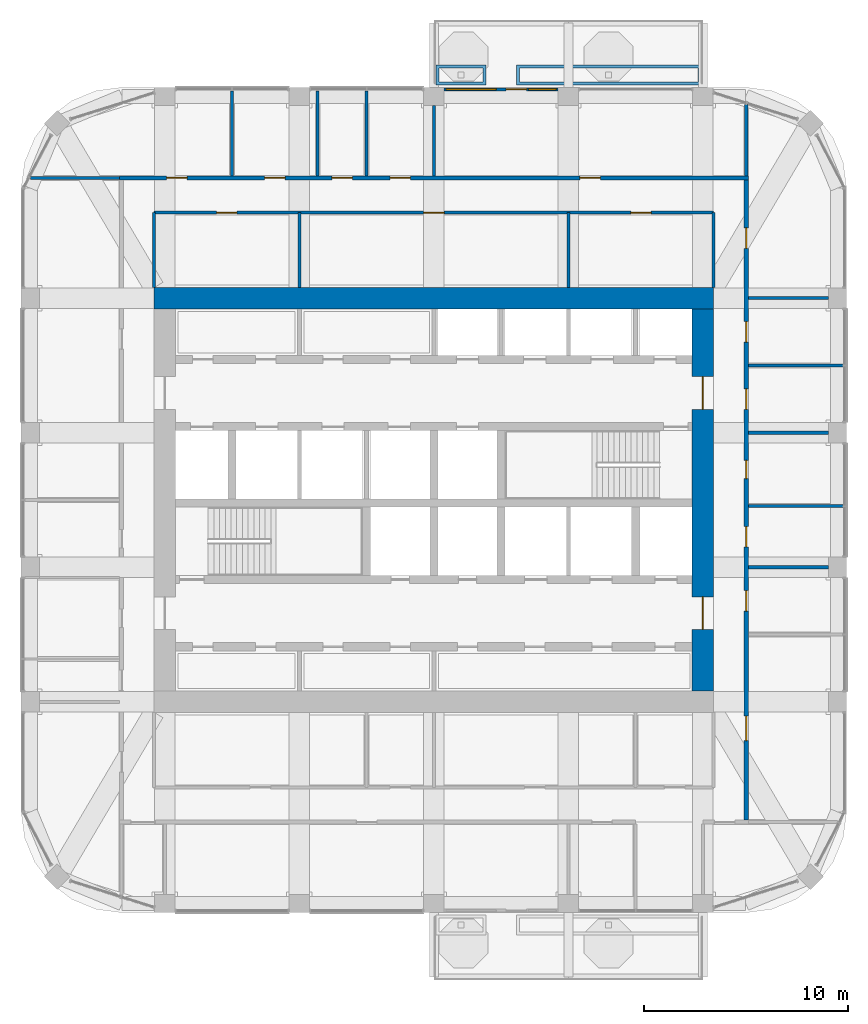
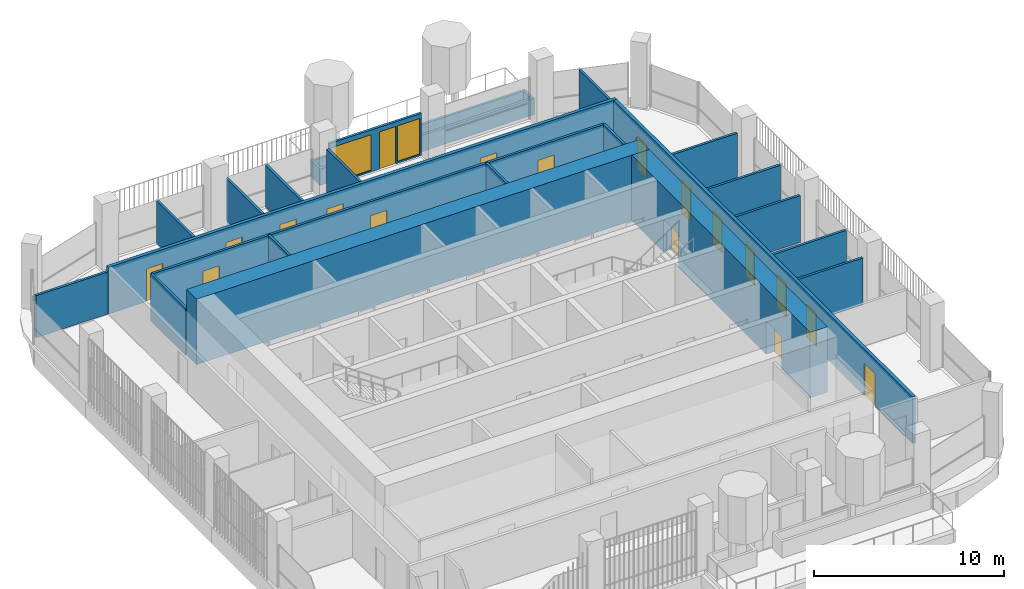
# One storey, part 16 of 21: 23 walls, 18 doors, 2 windows, 20 openings.
"""IFC4 building model written with IfcOpenShell, lengths in metres."""

from ifc_helpers import new_model, si_unit, direction, frame, frame_2d, origin, place, context, subcontext, project, spatial, polyline, rectangle, outline, extrude, material, layer, layer_set, type_object, element, fill, save


model = new_model("IFC4")

# Units and contexts
model_context = context("Model", 3, precision=1e-05, world=origin(), true_north=direction((0.0, 1.0)))
body_context = subcontext(model_context, "Body", "Model", "MODEL_VIEW")
ifc_project = project(units=[si_unit("LENGTHUNIT", "METRE"), si_unit("AREAUNIT", "SQUARE_METRE"), si_unit("VOLUMEUNIT", "CUBIC_METRE"), si_unit("PLANEANGLEUNIT", "RADIAN"), si_unit("MASSUNIT", "GRAM", prefix="KILO")], contexts=[model_context])

# Site, building, storey
site_placement = place(None, origin())
site = spatial("IfcSite", under=ifc_project, at=site_placement, CompositionType="ELEMENT")
building_placement = place(site_placement, origin())
building = spatial("IfcBuilding", under=site, at=building_placement, Name="Cobogo Forest Laboratory Tower", CompositionType="ELEMENT")
storey_placement = place(building_placement, frame((0.0, 0.0, 275.39990234375)))
storey = spatial("IfcBuildingStorey", under=building, at=storey_placement, Name="L63", CompositionType="ELEMENT", Elevation=275.39990234375)

# Wall, openings, doors
ifc_material_1 = material(Name="Concrete HA-50 (C50/60)", Category="concrete")
ifc_layer_1 = layer(ifc_material_1, 1.050048828125)
ifc_layer_set_1 = layer_set([ifc_layer_1], Name="CW1050 core outer wall 1050")
wall_type_1 = type_object("IfcWallType", Name="CW1050 core outer wall 1050", PredefinedType="SHEAR", material=ifc_layer_set_1)
wall_1_placement = place(storey_placement, frame((39.60009765625, 13.72509765625, 0.0), z_axis=(0.0, 0.0, 1.0), x_axis=(0.0, 1.0, 0.0)))
wall_1 = element("IfcWall", 1, at=wall_1_placement, inside=storey, type_object=wall_type_1, Name="Core wall CO-E L63", PredefinedType="SHEAR", context=body_context, shape_type="SweptSolid", body=[
    extrude(rectangle(XDim=18.75, YDim=1.050048828125, at=frame_2d((9.375, 0.0))), origin(), (0.0, 0.0, 1.0), 4.2001953125),
])
opening_1_placement = place(wall_1_placement, frame((3.02490234375, 0.0, 0.0)))
opening_1 = element("IfcOpeningElement", 2, at=opening_1_placement, cuts=wall_1, Name="Opening L63-D23", PredefinedType="OPENING", context=body_context, shape_type="SweptSolid", body=[
    extrude(rectangle(XDim=1.60009765625, YDim=2.10009765625, at=frame_2d((0.800048828125, 1.050048828125))), frame((0.0, 0.534912109375, 0.0), z_axis=(0.0, -1.0, 0.0), x_axis=(1.0, 0.0, 0.0)), (0.0, 0.0, 1.0), 1.070068359375),
])
opening_2_placement = place(wall_1_placement, frame((13.824951171875, 0.0, 0.0)))
opening_2 = element("IfcOpeningElement", 3, at=opening_2_placement, cuts=wall_1, Name="Opening L63-D34", PredefinedType="OPENING", context=body_context, shape_type="SweptSolid", body=[
    extrude(rectangle(XDim=1.60009765625, YDim=2.10009765625, at=frame_2d((0.800048828125, 1.050048828125))), frame((0.0, 0.534912109375, 0.0), z_axis=(0.0, -1.0, 0.0), x_axis=(1.0, 0.0, 0.0)), (0.0, 0.0, 1.0), 1.070068359375),
])
ifc_material_2 = material(Name="Steel fire door", Category="steel")
door_type_1 = type_object("IfcDoorType", Name="DS2 protected lobby door pair 1600 EI2 60", OperationType="DOUBLE_DOOR_DOUBLE_SWING", PredefinedType="DOOR", material=ifc_material_2)
door_1_placement = place(opening_1_placement, origin())
door_1 = element("IfcDoor", 4, at=door_1_placement, inside=storey, type_object=door_type_1, Name="Door L63-CO-E-S", OperationType="DOUBLE_DOOR_DOUBLE_SWING", OverallHeight=2.10009765625, OverallWidth=1.60009765625, PredefinedType="DOOR", context=body_context, shape_type="SweptSolid", body=[
    extrude(rectangle(XDim=1.60009765625, YDim=2.10009765625, at=frame_2d((0.800048828125, 1.050048828125))), frame((0.0, 0.02490234375, 0.0), z_axis=(0.0, -1.0, 0.0), x_axis=(1.0, 0.0, 0.0)), (0.0, 0.0, 1.0), 0.050048828125),
])
fill(opening_1, door_1)
door_2_placement = place(opening_2_placement, origin())
door_2 = element("IfcDoor", 5, at=door_2_placement, inside=storey, type_object=door_type_1, Name="Door L63-CO-E-N", OperationType="DOUBLE_DOOR_DOUBLE_SWING", OverallHeight=2.10009765625, OverallWidth=1.60009765625, PredefinedType="DOOR", context=body_context, shape_type="SweptSolid", body=[
    extrude(rectangle(XDim=1.60009765625, YDim=2.10009765625, at=frame_2d((0.800048828125, 1.050048828125))), frame((0.0, 0.02490234375, 0.0), z_axis=(0.0, -1.0, 0.0), x_axis=(1.0, 0.0, 0.0)), (0.0, 0.0, 1.0), 0.050048828125),
])
fill(opening_2, door_2)

# Wall
wall_2_placement = place(storey_placement, frame((40.125, 33.0, 0.0), z_axis=(0.0, 0.0, 1.0), x_axis=(-1.0, 0.0, 0.0)))
element("IfcWall", 6, at=wall_2_placement, inside=storey, type_object=wall_type_1, Name="Core wall CO-N L63", PredefinedType="SHEAR", context=body_context, shape_type="SweptSolid", body=[
    extrude(rectangle(XDim=27.449951171875, YDim=1.050048828125, at=frame_2d((13.72509765625, 0.0))), origin(), (0.0, 0.0, 1.0), 4.2001953125),
])

# Wall, openings, door, windows
ifc_material_3 = material(Name="Aluminium framed glazed screen", Category="aluminium")
ifc_layer_2 = layer(ifc_material_3, 0.14990234375)
ifc_layer_set_2 = layer_set([ifc_layer_2], Name="GS1 glazed door screen 150")
wall_type_2 = type_object("IfcWallType", Name="GS1 glazed door screen 150", PredefinedType="SOLIDWALL", material=ifc_layer_set_2)
wall_3_placement = place(storey_placement, frame((32.5, 43.25, 0.0), z_axis=(0.0, 0.0, 1.0), x_axis=(-1.0, 0.0, 0.0)))
wall_3 = element("IfcWall", 7, at=wall_3_placement, inside=storey, type_object=wall_type_2, Name="Door screen BAL-N1 L63", PredefinedType="SOLIDWALL", context=body_context, shape_type="SweptSolid", body=[
    extrude(rectangle(XDim=5.60009765625, YDim=0.14990234375, at=frame_2d((2.800048828125, 0.0))), origin(), (0.0, 0.0, 1.0), 2.7001953125),
])
opening_3_placement = place(wall_3_placement, frame((1.550048828125, 0.0, 0.0)))
opening_3 = element("IfcOpeningElement", 8, at=opening_3_placement, cuts=wall_3, Name="Opening L63-D50", PredefinedType="OPENING", context=body_context, shape_type="SweptSolid", body=[
    extrude(rectangle(XDim=1.0, YDim=2.39990234375, at=frame_2d((0.5, 1.199951171875))), frame((0.0, 0.0849609375, 0.0), z_axis=(0.0, -1.0, 0.0), x_axis=(1.0, 0.0, 0.0)), (0.0, 0.0, 1.0), 0.169921875),
])
opening_4_placement = place(wall_3_placement, frame((0.10009765625, 0.0, 0.10009765625)))
opening_4 = element("IfcOpeningElement", 9, at=opening_4_placement, cuts=wall_3, Name="Opening L63-W04", PredefinedType="OPENING", context=body_context, shape_type="SweptSolid", body=[
    extrude(rectangle(XDim=1.35009765625, YDim=2.300048828125, at=frame_2d((0.675048828125, 1.14990234375))), frame((0.0, 0.0849609375, 0.0), z_axis=(0.0, -1.0, 0.0), x_axis=(1.0, 0.0, 0.0)), (0.0, 0.0, 1.0), 0.169921875),
])
opening_5_placement = place(wall_3_placement, frame((3.050048828125, 0.0, 0.10009765625)))
opening_5 = element("IfcOpeningElement", 10, at=opening_5_placement, cuts=wall_3, Name="Opening L63-W03", PredefinedType="OPENING", context=body_context, shape_type="SweptSolid", body=[
    extrude(rectangle(XDim=2.449951171875, YDim=2.300048828125, at=frame_2d((1.22509765625, 1.14990234375))), frame((0.0, 0.0849609375, 0.0), z_axis=(0.0, -1.0, 0.0), x_axis=(1.0, 0.0, 0.0)), (0.0, 0.0, 1.0), 0.169921875),
])
ifc_material_4 = material(Name="Aluminium glazed door", Category="aluminium")
door_type_2 = type_object("IfcDoorType", Name="DB1 balcony door 1000 glazed", OperationType="SINGLE_SWING_LEFT", PredefinedType="DOOR", material=ifc_material_4)
door_3_placement = place(opening_3_placement, origin())
door_3 = element("IfcDoor", 11, at=door_3_placement, inside=storey, type_object=door_type_2, Name="Door L63-BAL-N1", OperationType="SINGLE_SWING_LEFT", OverallHeight=2.39990234375, OverallWidth=1.0, PredefinedType="DOOR", context=body_context, shape_type="SweptSolid", body=[
    extrude(rectangle(XDim=1.0, YDim=2.39990234375, at=frame_2d((0.5, 1.199951171875))), frame((0.0, 0.02490234375, 0.0), z_axis=(0.0, -1.0, 0.0), x_axis=(1.0, 0.0, 0.0)), (0.0, 0.0, 1.0), 0.050048828125),
])
fill(opening_3, door_3)
ifc_material_5 = material(Name="Aluminium framed glazing", Category="aluminium")
window_type_1 = type_object("IfcWindowType", Name="WG23 fixed glazed light 2450x2300", PartitioningType="SINGLE_PANEL", PredefinedType="WINDOW", material=ifc_material_5)
window_1_placement = place(opening_5_placement, origin())
window_1 = element("IfcWindow", 12, at=window_1_placement, inside=storey, type_object=window_type_1, Name="Window L63-BAL-N1-2", OverallHeight=2.300048828125, OverallWidth=2.449951171875, PartitioningType="SINGLE_PANEL", PredefinedType="WINDOW", context=body_context, shape_type="SweptSolid", body=[
    extrude(rectangle(XDim=2.449951171875, YDim=2.300048828125, at=frame_2d((1.22509765625, 1.14990234375))), frame((0.0, 0.030029296875, 0.0), z_axis=(0.0, -1.0, 0.0), x_axis=(1.0, 0.0, 0.0)), (0.0, 0.0, 1.0), 0.06005859375),
])
fill(opening_5, window_1)
window_type_2 = type_object("IfcWindowType", Name="WG24 fixed glazed light 1350x2300", PartitioningType="SINGLE_PANEL", PredefinedType="WINDOW", material=ifc_material_5)
window_2_placement = place(opening_4_placement, origin())
window_2 = element("IfcWindow", 13, at=window_2_placement, inside=storey, type_object=window_type_2, Name="Window L63-BAL-N1-1", OverallHeight=2.300048828125, OverallWidth=1.35009765625, PartitioningType="SINGLE_PANEL", PredefinedType="WINDOW", context=body_context, shape_type="SweptSolid", body=[
    extrude(rectangle(XDim=1.35009765625, YDim=2.300048828125, at=frame_2d((0.675048828125, 1.14990234375))), frame((0.0, 0.030029296875, 0.0), z_axis=(0.0, -1.0, 0.0), x_axis=(1.0, 0.0, 0.0)), (0.0, 0.0, 1.0), 0.06005859375),
])
fill(opening_4, window_2)

# Wall, openings, doors
ifc_material_6 = material(Name="Gypsum board on steel studs", Category="steel")
ifc_layer_3 = layer(ifc_material_6, 0.14990234375)
ifc_layer_set_3 = layer_set([ifc_layer_3], Name="PT1 laboratory partition 150")
wall_type_3 = type_object("IfcWallType", Name="PT1 laboratory partition 150", PredefinedType="PARTITIONING", material=ifc_layer_set_3)
wall_4_placement = place(storey_placement, frame((12.675048828125, 37.199951171875, 0.0), z_axis=(0.0, 0.0, 1.0), x_axis=(1.0, 0.0, 0.0)))
wall_4 = element("IfcWall", 14, at=wall_4_placement, inside=storey, type_object=wall_type_3, Name="Partition CSTRIP-N L63", PredefinedType="PARTITIONING", context=body_context, shape_type="SweptSolid", body=[
    extrude(rectangle(XDim=27.449951171875, YDim=0.14990234375, at=frame_2d((13.72509765625, 0.0))), origin(), (0.0, 0.0, 1.0), 3.0),
])
opening_6_placement = place(wall_4_placement, frame((3.0625, 0.0, 0.0)))
opening_6 = element("IfcOpeningElement", 15, at=opening_6_placement, cuts=wall_4, Name="Opening L63-D42", PredefinedType="OPENING", context=body_context, shape_type="SweptSolid", body=[
    extrude(rectangle(XDim=1.0, YDim=2.10009765625, at=frame_2d((0.5, 1.050048828125))), frame((0.0, 0.0849609375, 0.0), z_axis=(0.0, -1.0, 0.0), x_axis=(1.0, 0.0, 0.0)), (0.0, 0.0, 1.0), 0.169921875),
])
opening_7_placement = place(wall_4_placement, frame((13.22509765625, 0.0, 0.0)))
opening_7 = element("IfcOpeningElement", 16, at=opening_7_placement, cuts=wall_4, Name="Opening L63-D43", PredefinedType="OPENING", context=body_context, shape_type="SweptSolid", body=[
    extrude(rectangle(XDim=1.0, YDim=2.10009765625, at=frame_2d((0.5, 1.050048828125))), frame((0.0, 0.0849609375, 0.0), z_axis=(0.0, -1.0, 0.0), x_axis=(1.0, 0.0, 0.0)), (0.0, 0.0, 1.0), 0.169921875),
])
opening_8_placement = place(wall_4_placement, frame((23.387451171875, 0.0, 0.0)))
opening_8 = element("IfcOpeningElement", 17, at=opening_8_placement, cuts=wall_4, Name="Opening L63-D44", PredefinedType="OPENING", context=body_context, shape_type="SweptSolid", body=[
    extrude(rectangle(XDim=1.0, YDim=2.10009765625, at=frame_2d((0.5, 1.050048828125))), frame((0.0, 0.0849609375, 0.0), z_axis=(0.0, -1.0, 0.0), x_axis=(1.0, 0.0, 0.0)), (0.0, 0.0, 1.0), 0.169921875),
])
ifc_material_7 = material(Name="Timber fire door", Category="wood")
door_type_3 = type_object("IfcDoorType", Name="FD2 fire door 1000 EI2 30", OperationType="SINGLE_SWING_LEFT", PredefinedType="DOOR", material=ifc_material_7)
door_4_placement = place(opening_6_placement, origin())
door_4 = element("IfcDoor", 18, at=door_4_placement, inside=storey, type_object=door_type_3, Name="Door L63-CSN1", OperationType="SINGLE_SWING_LEFT", OverallHeight=2.10009765625, OverallWidth=1.0, PredefinedType="DOOR", context=body_context, shape_type="SweptSolid", body=[
    extrude(rectangle(XDim=1.0, YDim=2.10009765625, at=frame_2d((0.5, 1.050048828125))), frame((0.0, 0.02490234375, 0.0), z_axis=(0.0, -1.0, 0.0), x_axis=(1.0, 0.0, 0.0)), (0.0, 0.0, 1.0), 0.050048828125),
])
fill(opening_6, door_4)
door_5_placement = place(opening_7_placement, origin())
door_5 = element("IfcDoor", 19, at=door_5_placement, inside=storey, type_object=door_type_3, Name="Door L63-CSN2", OperationType="SINGLE_SWING_RIGHT", OverallHeight=2.10009765625, OverallWidth=1.0, PredefinedType="DOOR", context=body_context, shape_type="SweptSolid", body=[
    extrude(rectangle(XDim=1.0, YDim=2.10009765625, at=frame_2d((0.5, 1.050048828125))), frame((0.0, 0.02490234375, 0.0), z_axis=(0.0, -1.0, 0.0), x_axis=(1.0, 0.0, 0.0)), (0.0, 0.0, 1.0), 0.050048828125),
])
fill(opening_7, door_5)
door_6_placement = place(opening_8_placement, origin())
door_6 = element("IfcDoor", 20, at=door_6_placement, inside=storey, type_object=door_type_3, Name="Door L63-CSN3", OperationType="SINGLE_SWING_RIGHT", OverallHeight=2.10009765625, OverallWidth=1.0, PredefinedType="DOOR", context=body_context, shape_type="SweptSolid", body=[
    extrude(rectangle(XDim=1.0, YDim=2.10009765625, at=frame_2d((0.5, 1.050048828125))), frame((0.0, 0.02490234375, 0.0), z_axis=(0.0, -1.0, 0.0), x_axis=(1.0, 0.0, 0.0)), (0.0, 0.0, 1.0), 0.050048828125),
])
fill(opening_8, door_6)

# Walls
for number, where, z_axis, x_axis, name in (
    (21, (12.675048828125, 33.52490234375, 0.0), (0.0, 0.0, 1.0), (0.0, 1.0, 0.0), "Partition CSTRIP-NW L63"),
    (22, (40.125, 33.52490234375, 0.0), (0.0, 0.0, 1.0), (0.0, 1.0, 0.0), "Partition CSTRIP-NE L63"),
    (23, (19.800048828125, 33.52490234375, 0.0), (0.0, 0.0, 1.0), (0.0, 1.0, 0.0), "Partition CSTRIP-N19.8 L63"),
    (24, (33.0, 33.52490234375, 0.0), (0.0, 0.0, 1.0), (0.0, 1.0, 0.0), "Partition CSTRIP-N33 L63"),
):
    element("IfcWall", number, at=place(storey_placement, frame(where, z_axis=z_axis, x_axis=x_axis)), inside=storey, type_object=wall_type_3, Name=name, PredefinedType="PARTITIONING", context=body_context, shape_type="SweptSolid", body=[
        extrude(rectangle(XDim=3.675048828125, YDim=0.14990234375, at=frame_2d((1.83740234375, 0.0))), origin(), (0.0, 0.0, 1.0), 3.0),
    ])
wall_5_placement = place(storey_placement, frame((41.72509765625, 42.4951171875, 0.0), z_axis=(0.0, 0.0, 1.0), x_axis=(0.0, -1.0, 0.0)))
element("IfcWall", 25, at=wall_5_placement, inside=storey, type_object=wall_type_3, Name="Partition PW-NE L63", PredefinedType="PARTITIONING", context=body_context, shape_type="SweptSolid", body=[
    extrude(rectangle(XDim=3.4951171875, YDim=0.14990234375, at=frame_2d((1.74755859375, 0.0))), origin(), (0.0, 0.0, 1.0), 2.7001953125),
])
wall_6_placement = place(storey_placement, frame((6.6025390625, 38.89990234375, 0.0), z_axis=(0.0, 0.0, 1.0), x_axis=(1.0, 0.0, 0.0)))
element("IfcWall", 26, at=wall_6_placement, inside=storey, type_object=wall_type_3, Name="Partition PW-NW L63", PredefinedType="PARTITIONING", context=body_context, shape_type="SweptSolid", body=[
    extrude(rectangle(XDim=4.37255859375, YDim=0.14990234375, at=frame_2d((2.186279296875, 0.0))), origin(), (0.0, 0.0, 1.0), 2.7001953125),
])
wall_7_placement = place(storey_placement, frame((46.469970703125, 22.800048828125, 0.0), z_axis=(0.0, 0.0, 1.0), x_axis=(-1.0, 0.0, 0.0)))
element("IfcWall", 27, at=wall_7_placement, inside=storey, type_object=wall_type_3, Name="Partition SVC-E1-1 L63", PredefinedType="PARTITIONING", context=body_context, shape_type="SweptSolid", body=[
    extrude(rectangle(XDim=4.64501953125, YDim=0.14990234375, at=frame_2d((2.322509765625, 0.0))), origin(), (0.0, 0.0, 1.0), 2.7001953125),
])
for number, where, z_axis, x_axis, name in (
    (28, (45.75, 26.39990234375, 0.0), (0.0, 0.0, 1.0), (-1.0, 0.0, 0.0), "Partition SVC-E2-1 L63"),
    (29, (45.75, 19.800048828125, 0.0), (0.0, 0.0, 1.0), (-1.0, 0.0, 0.0), "Partition CUT-E19.8-1 L63"),
):
    element("IfcWall", number, at=place(storey_placement, frame(where, z_axis=z_axis, x_axis=x_axis)), inside=storey, type_object=wall_type_3, Name=name, PredefinedType="PARTITIONING", context=body_context, shape_type="SweptSolid", body=[
        extrude(rectangle(XDim=3.925048828125, YDim=0.14990234375, at=frame_2d((1.96240234375, 0.0))), origin(), (0.0, 0.0, 1.0), 3.0),
    ])
wall_8_placement = place(storey_placement, frame((46.469970703125, 29.699951171875, 0.0), z_axis=(0.0, 0.0, 1.0), x_axis=(-1.0, 0.0, 0.0)))
element("IfcWall", 30, at=wall_8_placement, inside=storey, type_object=wall_type_3, Name="Partition CUT-E29.7-1 L63", PredefinedType="PARTITIONING", context=body_context, shape_type="SweptSolid", body=[
    extrude(rectangle(XDim=4.64501953125, YDim=0.14990234375, at=frame_2d((2.322509765625, 0.0))), origin(), (0.0, 0.0, 1.0), 2.7001953125),
])
wall_9_placement = place(storey_placement, frame((45.75, 33.0, 0.0), z_axis=(0.0, 0.0, 1.0), x_axis=(-1.0, 0.0, 0.0)))
element("IfcWall", 31, at=wall_9_placement, inside=storey, type_object=wall_type_3, Name="Partition CUT-E33-1 L63", PredefinedType="PARTITIONING", context=body_context, shape_type="SweptSolid", body=[
    extrude(rectangle(XDim=3.925048828125, YDim=0.14990234375, at=frame_2d((1.96240234375, 0.0))), origin(), (0.0, 0.0, 1.0), 3.0),
])
for number, where, z_axis, x_axis, name in (
    (32, (20.699951171875, 43.169921875, 0.0), (0.0, 0.0, 1.0), (0.0, -1.0, 0.0), "Partition SVC-N1-1 L63"),
    (33, (23.10009765625, 43.169921875, 0.0), (0.0, 0.0, 1.0), (0.0, -1.0, 0.0), "Partition SVC-N2-1 L63"),
    (34, (16.5, 43.169921875, 0.0), (0.0, 0.0, 1.0), (0.0, -1.0, 0.0), "Partition CUT-N16.5-1 L63"),
):
    element("IfcWall", number, at=place(storey_placement, frame(where, z_axis=z_axis, x_axis=x_axis)), inside=storey, type_object=wall_type_3, Name=name, PredefinedType="PARTITIONING", context=body_context, shape_type="SweptSolid", body=[
        extrude(rectangle(XDim=4.169921875, YDim=0.14990234375, at=frame_2d((2.0849609375, 0.0))), origin(), (0.0, 0.0, 1.0), 2.7001953125),
    ])
wall_10_placement = place(storey_placement, frame((26.39990234375, 42.449951171875, 0.0), z_axis=(0.0, 0.0, 1.0), x_axis=(0.0, -1.0, 0.0)))
element("IfcWall", 35, at=wall_10_placement, inside=storey, type_object=wall_type_3, Name="Partition CUT-N26.4-1 L63", PredefinedType="PARTITIONING", context=body_context, shape_type="SweptSolid", body=[
    extrude(rectangle(XDim=3.449951171875, YDim=0.14990234375, at=frame_2d((1.72509765625, 0.0))), origin(), (0.0, 0.0, 1.0), 3.0),
])

# Wall, openings, doors
ifc_layer_4 = layer(ifc_material_6, 0.199951171875)
ifc_layer_set_4 = layer_set([ifc_layer_4], Name="PT2 fire-rated corridor partition 200")
wall_type_4 = type_object("IfcWallType", Name="PT2 fire-rated corridor partition 200", PredefinedType="PARTITIONING", material=ifc_layer_set_4)
wall_11_placement = place(storey_placement, frame((10.97509765625, 38.89990234375, 0.0), z_axis=(0.0, 0.0, 1.0), x_axis=(1.0, 0.0, 0.0)))
wall_11 = element("IfcWall", 36, at=wall_11_placement, inside=storey, type_object=wall_type_4, Name="Partition CORR-N L63", PredefinedType="PARTITIONING", context=body_context, shape_type="SweptSolid", body=[
    extrude(rectangle(XDim=30.849853515625, YDim=0.199951171875, at=frame_2d((15.4248046875, 0.0))), origin(), (0.0, 0.0, 1.0), 3.0),
])
opening_9_placement = place(wall_11_placement, frame((2.3125, 0.0, 0.0)))
opening_9 = element("IfcOpeningElement", 37, at=opening_9_placement, cuts=wall_11, Name="Opening L63-D45", PredefinedType="OPENING", context=body_context, shape_type="SweptSolid", body=[
    extrude(rectangle(XDim=1.0, YDim=2.10009765625, at=frame_2d((0.5, 1.050048828125))), frame((0.0, 0.10986328125, 0.0), z_axis=(0.0, -1.0, 0.0), x_axis=(1.0, 0.0, 0.0)), (0.0, 0.0, 1.0), 0.219970703125),
])
opening_10_placement = place(wall_11_placement, frame((7.125, 0.0, 0.0)))
opening_10 = element("IfcOpeningElement", 38, at=opening_10_placement, cuts=wall_11, Name="Opening L63-D46", PredefinedType="OPENING", context=body_context, shape_type="SweptSolid", body=[
    extrude(rectangle(XDim=1.0, YDim=2.10009765625, at=frame_2d((0.5, 1.050048828125))), frame((0.0, 0.10986328125, 0.0), z_axis=(0.0, -1.0, 0.0), x_axis=(1.0, 0.0, 0.0)), (0.0, 0.0, 1.0), 0.219970703125),
])
opening_11_placement = place(wall_11_placement, frame((10.425048828125, 0.0, 0.0)))
opening_11 = element("IfcOpeningElement", 39, at=opening_11_placement, cuts=wall_11, Name="Opening L63-D47", PredefinedType="OPENING", context=body_context, shape_type="SweptSolid", body=[
    extrude(rectangle(XDim=1.0, YDim=2.10009765625, at=frame_2d((0.5, 1.050048828125))), frame((0.0, 0.10986328125, 0.0), z_axis=(0.0, -1.0, 0.0), x_axis=(1.0, 0.0, 0.0)), (0.0, 0.0, 1.0), 0.219970703125),
])
opening_12_placement = place(wall_11_placement, frame((13.27490234375, 0.0, 0.0)))
opening_12 = element("IfcOpeningElement", 40, at=opening_12_placement, cuts=wall_11, Name="Opening L63-D48", PredefinedType="OPENING", context=body_context, shape_type="SweptSolid", body=[
    extrude(rectangle(XDim=1.0, YDim=2.10009765625, at=frame_2d((0.5, 1.050048828125))), frame((0.0, 0.10986328125, 0.0), z_axis=(0.0, -1.0, 0.0), x_axis=(1.0, 0.0, 0.0)), (0.0, 0.0, 1.0), 0.219970703125),
])
opening_13_placement = place(wall_11_placement, frame((22.58740234375, 0.0, 0.0)))
opening_13 = element("IfcOpeningElement", 41, at=opening_13_placement, cuts=wall_11, Name="Opening L63-D49", PredefinedType="OPENING", context=body_context, shape_type="SweptSolid", body=[
    extrude(rectangle(XDim=1.0, YDim=2.10009765625, at=frame_2d((0.5, 1.050048828125))), frame((0.0, 0.10986328125, 0.0), z_axis=(0.0, -1.0, 0.0), x_axis=(1.0, 0.0, 0.0)), (0.0, 0.0, 1.0), 0.219970703125),
])
door_7_placement = place(opening_9_placement, origin())
door_7 = element("IfcDoor", 42, at=door_7_placement, inside=storey, type_object=door_type_3, Name="Door L63-N1", OperationType="SINGLE_SWING_LEFT", OverallHeight=2.10009765625, OverallWidth=1.0, PredefinedType="DOOR", context=body_context, shape_type="SweptSolid", body=[
    extrude(rectangle(XDim=1.0, YDim=2.10009765625, at=frame_2d((0.5, 1.050048828125))), frame((0.0, 0.02490234375, 0.0), z_axis=(0.0, -1.0, 0.0), x_axis=(1.0, 0.0, 0.0)), (0.0, 0.0, 1.0), 0.050048828125),
])
fill(opening_9, door_7)
door_8_placement = place(opening_10_placement, origin())
door_8 = element("IfcDoor", 43, at=door_8_placement, inside=storey, type_object=door_type_3, Name="Door L63-MTG", OperationType="SINGLE_SWING_LEFT", OverallHeight=2.10009765625, OverallWidth=1.0, PredefinedType="DOOR", context=body_context, shape_type="SweptSolid", body=[
    extrude(rectangle(XDim=1.0, YDim=2.10009765625, at=frame_2d((0.5, 1.050048828125))), frame((0.0, 0.02490234375, 0.0), z_axis=(0.0, -1.0, 0.0), x_axis=(1.0, 0.0, 0.0)), (0.0, 0.0, 1.0), 0.050048828125),
])
fill(opening_10, door_8)
door_9_placement = place(opening_11_placement, origin())
door_9 = element("IfcDoor", 44, at=door_9_placement, inside=storey, type_object=door_type_3, Name="Door L63-PAN", OperationType="SINGLE_SWING_LEFT", OverallHeight=2.10009765625, OverallWidth=1.0, PredefinedType="DOOR", context=body_context, shape_type="SweptSolid", body=[
    extrude(rectangle(XDim=1.0, YDim=2.10009765625, at=frame_2d((0.5, 1.050048828125))), frame((0.0, 0.02490234375, 0.0), z_axis=(0.0, -1.0, 0.0), x_axis=(1.0, 0.0, 0.0)), (0.0, 0.0, 1.0), 0.050048828125),
])
fill(opening_11, door_9)
door_10_placement = place(opening_12_placement, origin())
door_10 = element("IfcDoor", 45, at=door_10_placement, inside=storey, type_object=door_type_3, Name="Door L63-N2", OperationType="SINGLE_SWING_LEFT", OverallHeight=2.10009765625, OverallWidth=1.0, PredefinedType="DOOR", context=body_context, shape_type="SweptSolid", body=[
    extrude(rectangle(XDim=1.0, YDim=2.10009765625, at=frame_2d((0.5, 1.050048828125))), frame((0.0, 0.02490234375, 0.0), z_axis=(0.0, -1.0, 0.0), x_axis=(1.0, 0.0, 0.0)), (0.0, 0.0, 1.0), 0.050048828125),
])
fill(opening_12, door_10)
door_11_placement = place(opening_13_placement, origin())
door_11 = element("IfcDoor", 46, at=door_11_placement, inside=storey, type_object=door_type_3, Name="Door L63-N3", OperationType="SINGLE_SWING_RIGHT", OverallHeight=2.10009765625, OverallWidth=1.0, PredefinedType="DOOR", context=body_context, shape_type="SweptSolid", body=[
    extrude(rectangle(XDim=1.0, YDim=2.10009765625, at=frame_2d((0.5, 1.050048828125))), frame((0.0, 0.02490234375, 0.0), z_axis=(0.0, -1.0, 0.0), x_axis=(1.0, 0.0, 0.0)), (0.0, 0.0, 1.0), 0.050048828125),
])
fill(opening_13, door_11)

wall_12_placement = place(storey_placement, frame((41.72509765625, 7.39990234375, 0.0), z_axis=(0.0, 0.0, 1.0), x_axis=(0.0, 1.0, 0.0)))
wall_12 = element("IfcWall", 47, at=wall_12_placement, inside=storey, type_object=wall_type_4, Name="Partition CORR-E L63", PredefinedType="PARTITIONING", context=body_context, shape_type="SweptSolid", body=[
    extrude(rectangle(XDim=31.400146484375, YDim=0.199951171875, at=frame_2d((15.7001953125, 0.0))), origin(), (0.0, 0.0, 1.0), 3.0),
])
opening_14_placement = place(wall_12_placement, frame((3.89990234375, 0.0, 0.0)))
opening_14 = element("IfcOpeningElement", 48, at=opening_14_placement, cuts=wall_12, Name="Opening L63-D11", PredefinedType="OPENING", context=body_context, shape_type="SweptSolid", body=[
    extrude(rectangle(XDim=1.199951171875, YDim=2.10009765625, at=frame_2d((0.60009765625, 1.050048828125))), frame((0.0, 0.10986328125, 0.0), z_axis=(0.0, -1.0, 0.0), x_axis=(1.0, 0.0, 0.0)), (0.0, 0.0, 1.0), 0.219970703125),
])
opening_15_placement = place(wall_12_placement, frame((10.25, 0.0, 0.0)))
opening_15 = element("IfcOpeningElement", 49, at=opening_15_placement, cuts=wall_12, Name="Opening L63-D24", PredefinedType="OPENING", context=body_context, shape_type="SweptSolid", body=[
    extrude(rectangle(XDim=1.0, YDim=2.10009765625, at=frame_2d((0.5, 1.050048828125))), frame((0.0, 0.10986328125, 0.0), z_axis=(0.0, -1.0, 0.0), x_axis=(1.0, 0.0, 0.0)), (0.0, 0.0, 1.0), 0.219970703125),
])
opening_16_placement = place(wall_12_placement, frame((13.39990234375, 0.0, 0.0)))
opening_16 = element("IfcOpeningElement", 50, at=opening_16_placement, cuts=wall_12, Name="Opening L63-D29", PredefinedType="OPENING", context=body_context, shape_type="SweptSolid", body=[
    extrude(rectangle(XDim=1.0, YDim=2.10009765625, at=frame_2d((0.5, 1.050048828125))), frame((0.0, 0.10986328125, 0.0), z_axis=(0.0, -1.0, 0.0), x_axis=(1.0, 0.0, 0.0)), (0.0, 0.0, 1.0), 0.219970703125),
])
opening_17_placement = place(wall_12_placement, frame((16.75, 0.0, 0.0)))
opening_17 = element("IfcOpeningElement", 51, at=opening_17_placement, cuts=wall_12, Name="Opening L63-D30", PredefinedType="OPENING", context=body_context, shape_type="SweptSolid", body=[
    extrude(rectangle(XDim=0.89990234375, YDim=2.10009765625, at=frame_2d((0.449951171875, 1.050048828125))), frame((0.0, 0.10986328125, 0.0), z_axis=(0.0, -1.0, 0.0), x_axis=(1.0, 0.0, 0.0)), (0.0, 0.0, 1.0), 0.219970703125),
])
opening_18_placement = place(wall_12_placement, frame((20.14990234375, 0.0, 0.0)))
opening_18 = element("IfcOpeningElement", 52, at=opening_18_placement, cuts=wall_12, Name="Opening L63-D32", PredefinedType="OPENING", context=body_context, shape_type="SweptSolid", body=[
    extrude(rectangle(XDim=1.0, YDim=2.10009765625, at=frame_2d((0.5, 1.050048828125))), frame((0.0, 0.10986328125, 0.0), z_axis=(0.0, -1.0, 0.0), x_axis=(1.0, 0.0, 0.0)), (0.0, 0.0, 1.0), 0.219970703125),
])
opening_19_placement = place(wall_12_placement, frame((23.449951171875, 0.0, 0.0)))
opening_19 = element("IfcOpeningElement", 53, at=opening_19_placement, cuts=wall_12, Name="Opening L63-D40", PredefinedType="OPENING", context=body_context, shape_type="SweptSolid", body=[
    extrude(rectangle(XDim=1.0, YDim=2.10009765625, at=frame_2d((0.5, 1.050048828125))), frame((0.0, 0.10986328125, 0.0), z_axis=(0.0, -1.0, 0.0), x_axis=(1.0, 0.0, 0.0)), (0.0, 0.0, 1.0), 0.219970703125),
])
opening_20_placement = place(wall_12_placement, frame((28.050048828125, 0.0, 0.0)))
opening_20 = element("IfcOpeningElement", 54, at=opening_20_placement, cuts=wall_12, Name="Opening L63-D41", PredefinedType="OPENING", context=body_context, shape_type="SweptSolid", body=[
    extrude(rectangle(XDim=1.0, YDim=2.10009765625, at=frame_2d((0.5, 1.050048828125))), frame((0.0, 0.10986328125, 0.0), z_axis=(0.0, -1.0, 0.0), x_axis=(1.0, 0.0, 0.0)), (0.0, 0.0, 1.0), 0.219970703125),
])
ifc_material_8 = material(Name="Timber door", Category="wood")
door_type_4 = type_object("IfcDoorType", Name="D2 laboratory door 1200 unequal pair", OperationType="DOUBLE_DOOR_SINGLE_SWING", PredefinedType="DOOR", material=ifc_material_8)
door_12_placement = place(opening_14_placement, origin())
door_12 = element("IfcDoor", 55, at=door_12_placement, inside=storey, type_object=door_type_4, Name="Door L63-E1", OperationType="DOUBLE_DOOR_SINGLE_SWING", OverallHeight=2.10009765625, OverallWidth=1.199951171875, PredefinedType="DOOR", context=body_context, shape_type="SweptSolid", body=[
    extrude(rectangle(XDim=1.199951171875, YDim=2.10009765625, at=frame_2d((0.60009765625, 1.050048828125))), frame((0.0, 0.02490234375, 0.0), z_axis=(0.0, -1.0, 0.0), x_axis=(1.0, 0.0, 0.0)), (0.0, 0.0, 1.0), 0.050048828125),
])
fill(opening_14, door_12)
door_type_5 = type_object("IfcDoorType", Name="FD1 fire door 1000 EI2 60", OperationType="SINGLE_SWING_LEFT", PredefinedType="DOOR", material=ifc_material_2)
door_13_placement = place(opening_16_placement, origin())
door_13 = element("IfcDoor", 56, at=door_13_placement, inside=storey, type_object=door_type_5, Name="Door L63-ELEC", OperationType="SINGLE_SWING_LEFT", OverallHeight=2.10009765625, OverallWidth=1.0, PredefinedType="DOOR", context=body_context, shape_type="SweptSolid", body=[
    extrude(rectangle(XDim=1.0, YDim=2.10009765625, at=frame_2d((0.5, 1.050048828125))), frame((0.0, 0.02490234375, 0.0), z_axis=(0.0, -1.0, 0.0), x_axis=(1.0, 0.0, 0.0)), (0.0, 0.0, 1.0), 0.050048828125),
])
fill(opening_16, door_13)
door_14_placement = place(opening_15_placement, origin())
door_14 = element("IfcDoor", 57, at=door_14_placement, inside=storey, type_object=door_type_3, Name="Door L63-E2", OperationType="SINGLE_SWING_LEFT", OverallHeight=2.10009765625, OverallWidth=1.0, PredefinedType="DOOR", context=body_context, shape_type="SweptSolid", body=[
    extrude(rectangle(XDim=1.0, YDim=2.10009765625, at=frame_2d((0.5, 1.050048828125))), frame((0.0, 0.02490234375, 0.0), z_axis=(0.0, -1.0, 0.0), x_axis=(1.0, 0.0, 0.0)), (0.0, 0.0, 1.0), 0.050048828125),
])
fill(opening_15, door_14)
door_15_placement = place(opening_18_placement, origin())
door_15 = element("IfcDoor", 58, at=door_15_placement, inside=storey, type_object=door_type_3, Name="Door L63-E3", OperationType="SINGLE_SWING_RIGHT", OverallHeight=2.10009765625, OverallWidth=1.0, PredefinedType="DOOR", context=body_context, shape_type="SweptSolid", body=[
    extrude(rectangle(XDim=1.0, YDim=2.10009765625, at=frame_2d((0.5, 1.050048828125))), frame((0.0, 0.02490234375, 0.0), z_axis=(0.0, -1.0, 0.0), x_axis=(1.0, 0.0, 0.0)), (0.0, 0.0, 1.0), 0.050048828125),
])
fill(opening_18, door_15)
door_16_placement = place(opening_19_placement, origin())
door_16 = element("IfcDoor", 59, at=door_16_placement, inside=storey, type_object=door_type_3, Name="Door L63-E4", OperationType="SINGLE_SWING_RIGHT", OverallHeight=2.10009765625, OverallWidth=1.0, PredefinedType="DOOR", context=body_context, shape_type="SweptSolid", body=[
    extrude(rectangle(XDim=1.0, YDim=2.10009765625, at=frame_2d((0.5, 1.050048828125))), frame((0.0, 0.02490234375, 0.0), z_axis=(0.0, -1.0, 0.0), x_axis=(1.0, 0.0, 0.0)), (0.0, 0.0, 1.0), 0.050048828125),
])
fill(opening_19, door_16)
door_17_placement = place(opening_20_placement, origin())
door_17 = element("IfcDoor", 60, at=door_17_placement, inside=storey, type_object=door_type_3, Name="Door L63-E5", OperationType="SINGLE_SWING_RIGHT", OverallHeight=2.10009765625, OverallWidth=1.0, PredefinedType="DOOR", context=body_context, shape_type="SweptSolid", body=[
    extrude(rectangle(XDim=1.0, YDim=2.10009765625, at=frame_2d((0.5, 1.050048828125))), frame((0.0, 0.02490234375, 0.0), z_axis=(0.0, -1.0, 0.0), x_axis=(1.0, 0.0, 0.0)), (0.0, 0.0, 1.0), 0.050048828125),
])
fill(opening_20, door_17)
door_type_6 = type_object("IfcDoorType", Name="FD4 riser access door 900 EI2 60", OperationType="SINGLE_SWING_LEFT", PredefinedType="DOOR", material=ifc_material_2)
door_18_placement = place(opening_17_placement, origin())
door_18 = element("IfcDoor", 61, at=door_18_placement, inside=storey, type_object=door_type_6, Name="Door L63-COMMS", OperationType="SINGLE_SWING_RIGHT", OverallHeight=2.10009765625, OverallWidth=0.89990234375, PredefinedType="DOOR", context=body_context, shape_type="SweptSolid", body=[
    extrude(rectangle(XDim=0.89990234375, YDim=2.10009765625, at=frame_2d((0.449951171875, 1.050048828125))), frame((0.0, 0.02490234375, 0.0), z_axis=(0.0, -1.0, 0.0), x_axis=(1.0, 0.0, 0.0)), (0.0, 0.0, 1.0), 0.050048828125),
])
fill(opening_17, door_18)

# Walls
ifc_material_9 = material(Name="Concrete HA-40 (C40/50)", Category="concrete")
ifc_layer_5 = layer(ifc_material_9, 0.14990234375)
ifc_layer_set_5 = layer_set([ifc_layer_5], Name="Planter box 1000x1050")
wall_type_5 = type_object("IfcWallType", Name="Planter box 1000x1050", PredefinedType="USERDEFINED", material=ifc_layer_set_5)
wall_13_placement = place(storey_placement, origin())
element("IfcWall", 62, at=wall_13_placement, inside=storey, type_object=wall_type_5, Name="Planter BAL-N1-1 L63", ObjectType="PLANTER", PredefinedType="USERDEFINED", context=body_context, shape_type="SweptSolid", body=[
    extrude(outline(polyline([(26.5, 43.449951171875), (28.949951171875, 43.449951171875), (28.949951171875, 44.449951171875), (26.5, 44.449951171875), (26.5, 43.449951171875)]), holes=[polyline([(26.64990234375, 43.60009765625), (28.800048828125, 43.60009765625), (28.800048828125, 44.300048828125), (26.64990234375, 44.300048828125), (26.64990234375, 43.60009765625)])]), origin(), (0.0, 0.0, 1.0), 1.050048828125),
])
wall_14_placement = place(storey_placement, origin())
element("IfcWall", 63, at=wall_14_placement, inside=storey, type_object=wall_type_5, Name="Planter BAL-N1-2 L63", ObjectType="PLANTER", PredefinedType="USERDEFINED", context=body_context, shape_type="SweptSolid", body=[
    extrude(outline(polyline([(30.449951171875, 43.449951171875), (39.5, 43.449951171875), (39.5, 44.449951171875), (30.449951171875, 44.449951171875), (30.449951171875, 43.449951171875)]), holes=[polyline([(30.60009765625, 43.60009765625), (39.35009765625, 43.60009765625), (39.35009765625, 44.300048828125), (30.60009765625, 44.300048828125), (30.60009765625, 43.60009765625)])]), origin(), (0.0, 0.0, 1.0), 1.050048828125),
])

save(model, "model.ifc")
